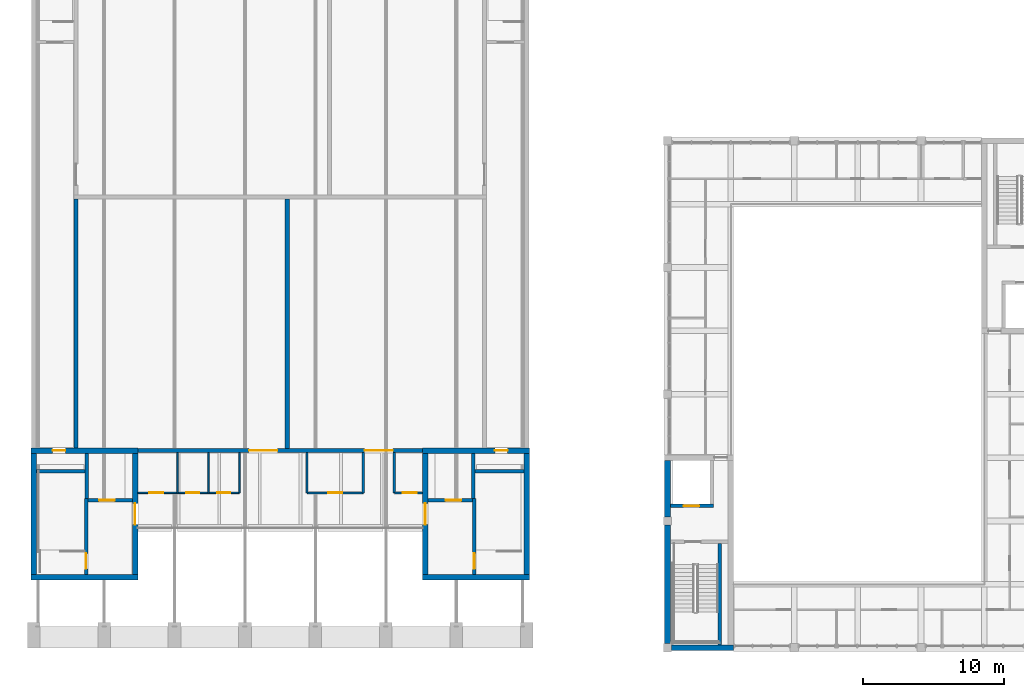
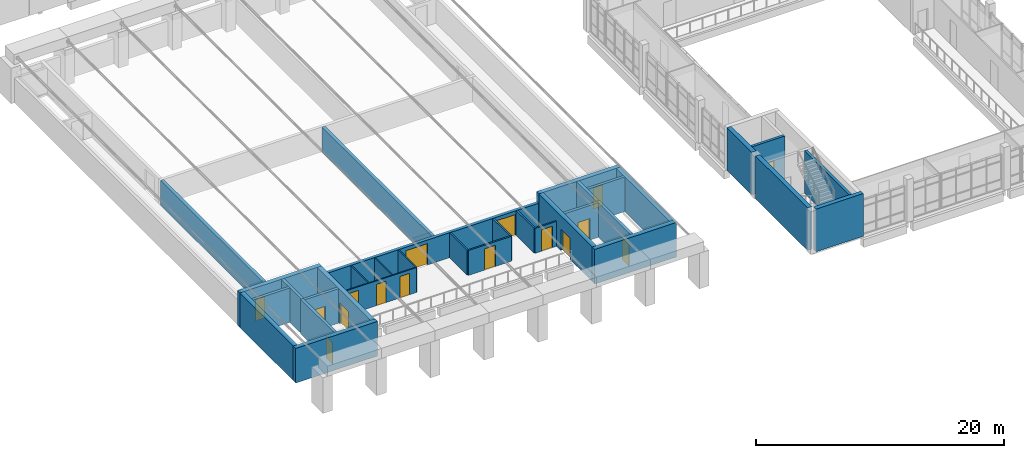
# One storey, part 47 of 92: 33 walls, 16 doors, 16 openings.
"""IFC4 building model written with IfcOpenShell, lengths in metres."""

from ifc_helpers import new_model, si_unit, direction, frame, frame_2d, origin, place, context, subcontext, project, spatial, rectangle, extrude, material, layer, layer_set, type_object, element, fill, save


model = new_model("IFC4")

# Units and contexts
model_context = context("Model", 3, precision=1e-05, world=origin(), true_north=direction((0.0, 1.0)))
body_context = subcontext(model_context, "Body", "Model", "MODEL_VIEW")
ifc_project = project(units=[si_unit("LENGTHUNIT", "METRE"), si_unit("AREAUNIT", "SQUARE_METRE"), si_unit("VOLUMEUNIT", "CUBIC_METRE"), si_unit("PLANEANGLEUNIT", "RADIAN"), si_unit("MASSUNIT", "GRAM", prefix="KILO")], contexts=[model_context])

# Site, building, storey
site_placement = place(None, origin())
site = spatial("IfcSite", under=ifc_project, at=site_placement, CompositionType="ELEMENT")
building_placement = place(site_placement, origin())
building = spatial("IfcBuilding", under=site, at=building_placement, Name="Merrow Basin Faculty of Sciences", CompositionType="ELEMENT")
storey_placement = place(building_placement, frame((0.0, 0.0, 4.5)))
storey = spatial("IfcBuildingStorey", under=building, at=storey_placement, Name="L01", CompositionType="ELEMENT", Elevation=4.5)

# Wall, openings, doors
ifc_material_1 = material(Name="Concrete C40/50", Category="concrete")
ifc_layer_1 = layer(ifc_material_1, 0.300048828125)
ifc_layer_set_1 = layer_set([ifc_layer_1], Name="Hall wall 300 Concrete C40/50")
wall_type_1 = type_object("IfcWallType", Name="Hall wall 300 Concrete C40/50", PredefinedType="SHEAR", material=ifc_layer_set_1)
wall_1_placement = place(storey_placement, frame((7.39990234375, 14.0, 0.0), z_axis=(0.0, 0.0, 1.0), x_axis=(1.0, 0.0, 0.0)))
wall_1 = element("IfcWall", 1, at=wall_1_placement, inside=storey, type_object=wall_type_1, Name="SW7 L01 017", PredefinedType="SHEAR", context=body_context, shape_type="SweptSolid", body=[
    extrude(rectangle(XDim=20.2001953125, YDim=0.300048828125, at=frame_2d((10.10009765625, 0.0))), origin(), (0.0, 0.0, 1.0), 2.449951171875),
])
opening_1_placement = place(wall_1_placement, frame((7.89990234375, 0.0, 0.0)))
opening_1 = element("IfcOpeningElement", 2, at=opening_1_placement, cuts=wall_1, Name="Opening D01H014", PredefinedType="OPENING", context=body_context, shape_type="SweptSolid", body=[
    extrude(rectangle(XDim=2.0, YDim=2.10009765625, at=frame_2d((1.0, 1.050048828125))), frame((0.0, 0.159912109375, 0.0), z_axis=(0.0, -1.0, 0.0), x_axis=(1.0, 0.0, 0.0)), (0.0, 0.0, 1.0), 0.320068359375),
])
opening_2_placement = place(wall_1_placement, frame((16.10009765625, 0.0, 0.0)))
opening_2 = element("IfcOpeningElement", 3, at=opening_2_placement, cuts=wall_1, Name="Opening D01H015", PredefinedType="OPENING", context=body_context, shape_type="SweptSolid", body=[
    extrude(rectangle(XDim=2.0, YDim=2.10009765625, at=frame_2d((1.0, 1.050048828125))), frame((0.0, 0.159912109375, 0.0), z_axis=(0.0, -1.0, 0.0), x_axis=(1.0, 0.0, 0.0)), (0.0, 0.0, 1.0), 0.320068359375),
])
ifc_material_2 = material(Name="Fire-rated steel door", Category="steel")
door_type_1 = type_object("IfcDoorType", Name="Fire door FD60 2000 x 2100", OperationType="NOTDEFINED", PredefinedType="DOOR", material=ifc_material_2)
door_1_placement = place(opening_1_placement, origin())
door_1 = element("IfcDoor", 4, at=door_1_placement, inside=storey, type_object=door_type_1, Name="Lecture Theatre 2 upper exit", OperationType="DOUBLE_DOOR_SINGLE_SWING", OverallHeight=2.10009765625, OverallWidth=2.0, PredefinedType="DOOR", context=body_context, shape_type="SweptSolid", body=[
    extrude(rectangle(XDim=2.0, YDim=2.10009765625, at=frame_2d((1.0, 1.050048828125))), frame((0.0, 0.02490234375, 0.0), z_axis=(0.0, -1.0, 0.0), x_axis=(1.0, 0.0, 0.0)), (0.0, 0.0, 1.0), 0.050048828125),
])
fill(opening_1, door_1)
door_2_placement = place(opening_2_placement, origin())
door_2 = element("IfcDoor", 5, at=door_2_placement, inside=storey, type_object=door_type_1, Name="Lecture Theatre 3 upper exit", OperationType="DOUBLE_DOOR_SINGLE_SWING", OverallHeight=2.10009765625, OverallWidth=2.0, PredefinedType="DOOR", context=body_context, shape_type="SweptSolid", body=[
    extrude(rectangle(XDim=2.0, YDim=2.10009765625, at=frame_2d((1.0, 1.050048828125))), frame((0.0, 0.02490234375, 0.0), z_axis=(0.0, -1.0, 0.0), x_axis=(1.0, 0.0, 0.0)), (0.0, 0.0, 1.0), 0.050048828125),
])
fill(opening_2, door_2)

# Walls
wall_2_placement = place(storey_placement, frame((3.0, 14.199951171875, 0.0), z_axis=(0.0, 0.0, 1.0), x_axis=(0.0, 1.0, 0.0)))
element("IfcWall", 6, at=wall_2_placement, inside=storey, type_object=wall_type_1, Name="SW7 L01 020", PredefinedType="SHEAR", context=body_context, shape_type="SweptSolid", body=[
    extrude(rectangle(XDim=17.650146484375, YDim=0.300048828125, at=frame_2d((8.8251953125, 0.0))), origin(), (0.0, 0.0, 1.0), 2.449951171875),
])
wall_3_placement = place(storey_placement, frame((18.0, 14.14990234375, 0.0), z_axis=(0.0, 0.0, 1.0), x_axis=(0.0, 1.0, 0.0)))
element("IfcWall", 7, at=wall_3_placement, inside=storey, type_object=wall_type_1, Name="SW7 L01 023", PredefinedType="SHEAR", context=body_context, shape_type="SweptSolid", body=[
    extrude(rectangle(XDim=17.7001953125, YDim=0.300048828125, at=frame_2d((8.85009765625, 0.0))), origin(), (0.0, 0.0, 1.0), 2.449951171875),
])
ifc_material_3 = material(Name="Moisture-resistant gypsum board")
ifc_layer_2 = layer(ifc_material_3, 0.10009765625)
ifc_layer_set_2 = layer_set([ifc_layer_2], Name="Partition 100 moisture-resistant board on steel studs")
wall_type_2 = type_object("IfcWallType", Name="Partition 100 moisture-resistant board on steel studs", PredefinedType="PARTITIONING", material=ifc_layer_set_2)
for number, where, z_axis, x_axis, name in (
    (8, (10.199951171875, 11.0, 0.0), (0.0, 0.0, 1.0), (0.0, 1.0, 0.0), "IW101 L01 008"),
    (9, (12.39990234375, 11.0, 0.0), (0.0, 0.0, 1.0), (0.0, 1.0, 0.0), "IW101 L01 009"),
    (10, (14.60009765625, 11.0, 0.0), (0.0, 0.0, 1.0), (0.0, 1.0, 0.0), "IW101 L01 010"),
):
    element("IfcWall", number, at=place(storey_placement, frame(where, z_axis=z_axis, x_axis=x_axis)), inside=storey, type_object=wall_type_2, Name=name, PredefinedType="PARTITIONING", context=body_context, shape_type="SweptSolid", body=[
        extrude(rectangle(XDim=2.85009765625, YDim=0.10009765625, at=frame_2d((1.425048828125, 0.0))), origin(), (0.0, 0.0, 1.0), 2.449951171875),
    ])

# Wall, openings, doors
wall_4_placement = place(storey_placement, frame((7.39990234375, 11.0, 0.0), z_axis=(0.0, 0.0, 1.0), x_axis=(1.0, 0.0, 0.0)))
wall_4 = element("IfcWall", 11, at=wall_4_placement, inside=storey, type_object=wall_type_2, Name="IW101 L01 011", PredefinedType="PARTITIONING", context=body_context, shape_type="SweptSolid", body=[
    extrude(rectangle(XDim=7.2001953125, YDim=0.10009765625, at=frame_2d((3.60009765625, 0.0))), origin(), (0.0, 0.0, 1.0), 2.449951171875),
])
opening_3_placement = place(wall_4_placement, frame((0.800048828125, 0.0, 0.0)))
opening_3 = element("IfcOpeningElement", 12, at=opening_3_placement, cuts=wall_4, Name="Opening D01H009", PredefinedType="OPENING", context=body_context, shape_type="SweptSolid", body=[
    extrude(rectangle(XDim=1.0, YDim=2.10009765625, at=frame_2d((0.5, 1.050048828125))), frame((0.0, 0.06005859375, 0.0), z_axis=(0.0, -1.0, 0.0), x_axis=(1.0, 0.0, 0.0)), (0.0, 0.0, 1.0), 0.1201171875),
])
opening_4_placement = place(wall_4_placement, frame((3.449951171875, 0.0, 0.0)))
opening_4 = element("IfcOpeningElement", 13, at=opening_4_placement, cuts=wall_4, Name="Opening D01H010", PredefinedType="OPENING", context=body_context, shape_type="SweptSolid", body=[
    extrude(rectangle(XDim=0.89990234375, YDim=2.10009765625, at=frame_2d((0.449951171875, 1.050048828125))), frame((0.0, 0.06005859375, 0.0), z_axis=(0.0, -1.0, 0.0), x_axis=(1.0, 0.0, 0.0)), (0.0, 0.0, 1.0), 0.1201171875),
])
opening_5_placement = place(wall_4_placement, frame((5.64990234375, 0.0, 0.0)))
opening_5 = element("IfcOpeningElement", 14, at=opening_5_placement, cuts=wall_4, Name="Opening D01H011", PredefinedType="OPENING", context=body_context, shape_type="SweptSolid", body=[
    extrude(rectangle(XDim=0.89990234375, YDim=2.10009765625, at=frame_2d((0.449951171875, 1.050048828125))), frame((0.0, 0.06005859375, 0.0), z_axis=(0.0, -1.0, 0.0), x_axis=(1.0, 0.0, 0.0)), (0.0, 0.0, 1.0), 0.1201171875),
])
ifc_material_4 = material(Name="Timber door leaf", Category="wood")
door_type_2 = type_object("IfcDoorType", Name="Accessible door 1000 x 2100", OperationType="NOTDEFINED", PredefinedType="DOOR", material=ifc_material_4)
door_3_placement = place(opening_3_placement, origin())
door_3 = element("IfcDoor", 15, at=door_3_placement, inside=storey, type_object=door_type_2, Name="Door D01H009", OperationType="SINGLE_SWING_LEFT", OverallHeight=2.10009765625, OverallWidth=1.0, PredefinedType="DOOR", context=body_context, shape_type="SweptSolid", body=[
    extrude(rectangle(XDim=1.0, YDim=2.10009765625, at=frame_2d((0.5, 1.050048828125))), frame((0.0, 0.02490234375, 0.0), z_axis=(0.0, -1.0, 0.0), x_axis=(1.0, 0.0, 0.0)), (0.0, 0.0, 1.0), 0.050048828125),
])
fill(opening_3, door_3)
ifc_material_5 = material(Name="Timber door leaf", Category="wood")
door_type_3 = type_object("IfcDoorType", Name="Single swing door 900 x 2100", OperationType="NOTDEFINED", PredefinedType="DOOR", material=ifc_material_5)
door_4_placement = place(opening_4_placement, origin())
door_4 = element("IfcDoor", 16, at=door_4_placement, inside=storey, type_object=door_type_3, Name="Door D01H010", OperationType="SINGLE_SWING_RIGHT", OverallHeight=2.10009765625, OverallWidth=0.89990234375, PredefinedType="DOOR", context=body_context, shape_type="SweptSolid", body=[
    extrude(rectangle(XDim=0.89990234375, YDim=2.10009765625, at=frame_2d((0.449951171875, 1.050048828125))), frame((0.0, 0.02490234375, 0.0), z_axis=(0.0, -1.0, 0.0), x_axis=(1.0, 0.0, 0.0)), (0.0, 0.0, 1.0), 0.050048828125),
])
fill(opening_4, door_4)
door_5_placement = place(opening_5_placement, origin())
door_5 = element("IfcDoor", 17, at=door_5_placement, inside=storey, type_object=door_type_3, Name="Door D01H011", OperationType="SINGLE_SWING_RIGHT", OverallHeight=2.10009765625, OverallWidth=0.89990234375, PredefinedType="DOOR", context=body_context, shape_type="SweptSolid", body=[
    extrude(rectangle(XDim=0.89990234375, YDim=2.10009765625, at=frame_2d((0.449951171875, 1.050048828125))), frame((0.0, 0.02490234375, 0.0), z_axis=(0.0, -1.0, 0.0), x_axis=(1.0, 0.0, 0.0)), (0.0, 0.0, 1.0), 0.050048828125),
])
fill(opening_5, door_5)

# Wall
ifc_material_6 = material(Name="Concrete C40/50", Category="concrete")
ifc_layer_3 = layer(ifc_material_6, 0.25)
ifc_layer_set_3 = layer_set([ifc_layer_3], Name="Shear wall 250 Concrete C40/50")
wall_type_3 = type_object("IfcWallType", Name="Shear wall 250 Concrete C40/50", PredefinedType="SHEAR", material=ifc_layer_set_3)
wall_5_placement = place(storey_placement, frame((0.199951171875, 12.52490234375, 0.0), z_axis=(0.0, 0.0, 1.0), x_axis=(1.0, 0.0, 0.0)))
element("IfcWall", 18, at=wall_5_placement, inside=storey, type_object=wall_type_3, Name="SW2 L01 005", PredefinedType="SHEAR", context=body_context, shape_type="SweptSolid", body=[
    extrude(rectangle(XDim=3.650146484375, YDim=0.25, at=frame_2d((1.8251953125, 0.0))), origin(), (0.0, 0.0, 1.0), 3.39990234375),
])

# Wall, opening, door
wall_6_placement = place(storey_placement, frame((3.72509765625, 5.199951171875, 0.0), z_axis=(0.0, 0.0, 1.0), x_axis=(0.0, 1.0, 0.0)))
wall_6 = element("IfcWall", 19, at=wall_6_placement, inside=storey, type_object=wall_type_3, Name="SW2 L01 006", PredefinedType="SHEAR", context=body_context, shape_type="SweptSolid", body=[
    extrude(rectangle(XDim=5.400146484375, YDim=0.25, at=frame_2d((2.7001953125, 0.0))), origin(), (0.0, 0.0, 1.0), 3.39990234375),
])
opening_6_placement = place(wall_6_placement, frame((0.39990234375, 0.0, 0.0)))
opening_6 = element("IfcOpeningElement", 20, at=opening_6_placement, cuts=wall_6, Name="Opening D01H001", PredefinedType="OPENING", context=body_context, shape_type="SweptSolid", body=[
    extrude(rectangle(XDim=1.10009765625, YDim=2.10009765625, at=frame_2d((0.550048828125, 1.050048828125))), frame((0.0, 0.135009765625, 0.0), z_axis=(0.0, -1.0, 0.0), x_axis=(1.0, 0.0, 0.0)), (0.0, 0.0, 1.0), 0.27001953125),
])
ifc_material_7 = material(Name="Fire-rated steel door", Category="steel")
door_type_4 = type_object("IfcDoorType", Name="Fire door FD90 1100 x 2100", OperationType="NOTDEFINED", PredefinedType="DOOR", material=ifc_material_7)
door_6_placement = place(opening_6_placement, origin())
door_6 = element("IfcDoor", 21, at=door_6_placement, inside=storey, type_object=door_type_4, Name="Door D01H001", OperationType="SINGLE_SWING_LEFT", OverallHeight=2.10009765625, OverallWidth=1.10009765625, PredefinedType="DOOR", context=body_context, shape_type="SweptSolid", body=[
    extrude(rectangle(XDim=1.10009765625, YDim=2.10009765625, at=frame_2d((0.550048828125, 1.050048828125))), frame((0.0, 0.02490234375, 0.0), z_axis=(0.0, -1.0, 0.0), x_axis=(1.0, 0.0, 0.0)), (0.0, 0.0, 1.0), 0.050048828125),
])
fill(opening_6, door_6)

wall_7_placement = place(storey_placement, frame((3.85009765625, 10.47509765625, 0.0), z_axis=(0.0, 0.0, 1.0), x_axis=(1.0, 0.0, 0.0)))
wall_7 = element("IfcWall", 22, at=wall_7_placement, inside=storey, type_object=wall_type_3, Name="SW2 L01 007", PredefinedType="SHEAR", context=body_context, shape_type="SweptSolid", body=[
    extrude(rectangle(XDim=3.14990234375, YDim=0.25, at=frame_2d((1.574951171875, 0.0))), origin(), (0.0, 0.0, 1.0), 3.39990234375),
])
opening_7_placement = place(wall_7_placement, frame((0.800048828125, 0.0, 0.0)))
opening_7 = element("IfcOpeningElement", 23, at=opening_7_placement, cuts=wall_7, Name="Opening LD01H01", PredefinedType="OPENING", context=body_context, shape_type="SweptSolid", body=[
    extrude(rectangle(XDim=1.10009765625, YDim=2.10009765625, at=frame_2d((0.550048828125, 1.050048828125))), frame((0.0, 0.135009765625, 0.0), z_axis=(0.0, -1.0, 0.0), x_axis=(1.0, 0.0, 0.0)), (0.0, 0.0, 1.0), 0.27001953125),
])
ifc_material_8 = material(Name="Stainless steel sliding door", Category="steel")
door_type_5 = type_object("IfcDoorType", Name="Lift landing door 1100 x 2100 sliding", OperationType="NOTDEFINED", PredefinedType="DOOR", material=ifc_material_8)
door_7_placement = place(opening_7_placement, origin())
door_7 = element("IfcDoor", 24, at=door_7_placement, inside=storey, type_object=door_type_5, Name="Landing door LF3 L01", OperationType="SLIDING_TO_LEFT", OverallHeight=2.10009765625, OverallWidth=1.10009765625, PredefinedType="DOOR", context=body_context, shape_type="SweptSolid", body=[
    extrude(rectangle(XDim=1.10009765625, YDim=2.10009765625, at=frame_2d((0.550048828125, 1.050048828125))), frame((0.0, 0.02490234375, 0.0), z_axis=(0.0, -1.0, 0.0), x_axis=(1.0, 0.0, 0.0)), (0.0, 0.0, 1.0), 0.050048828125),
])
fill(opening_7, door_7)

# Walls
wall_8_placement = place(storey_placement, frame((3.77490234375, 10.60009765625, 0.0), z_axis=(0.0, 0.0, 1.0), x_axis=(0.0, 1.0, 0.0)))
element("IfcWall", 25, at=wall_8_placement, inside=storey, type_object=wall_type_3, Name="SW2 L01 008", PredefinedType="SHEAR", context=body_context, shape_type="SweptSolid", body=[
    extrude(rectangle(XDim=3.199951171875, YDim=0.25, at=frame_2d((1.60009765625, 0.0))), origin(), (0.0, 0.0, 1.0), 3.39990234375),
])
wall_9_placement = place(storey_placement, frame((31.14990234375, 12.52490234375, 0.0), z_axis=(0.0, 0.0, 1.0), x_axis=(1.0, 0.0, 0.0)))
element("IfcWall", 26, at=wall_9_placement, inside=storey, type_object=wall_type_3, Name="SW2 L01 013", PredefinedType="SHEAR", context=body_context, shape_type="SweptSolid", body=[
    extrude(rectangle(XDim=3.650146484375, YDim=0.25, at=frame_2d((1.8251953125, 0.0))), origin(), (0.0, 0.0, 1.0), 3.39990234375),
])

# Wall, opening, door
wall_10_placement = place(storey_placement, frame((31.27490234375, 5.199951171875, 0.0), z_axis=(0.0, 0.0, 1.0), x_axis=(0.0, 1.0, 0.0)))
wall_10 = element("IfcWall", 27, at=wall_10_placement, inside=storey, type_object=wall_type_3, Name="SW2 L01 014", PredefinedType="SHEAR", context=body_context, shape_type="SweptSolid", body=[
    extrude(rectangle(XDim=5.400146484375, YDim=0.25, at=frame_2d((2.7001953125, 0.0))), origin(), (0.0, 0.0, 1.0), 3.39990234375),
])
opening_8_placement = place(wall_10_placement, frame((0.39990234375, 0.0, 0.0)))
opening_8 = element("IfcOpeningElement", 28, at=opening_8_placement, cuts=wall_10, Name="Opening D01H004", PredefinedType="OPENING", context=body_context, shape_type="SweptSolid", body=[
    extrude(rectangle(XDim=1.10009765625, YDim=2.10009765625, at=frame_2d((0.550048828125, 1.050048828125))), frame((0.0, 0.135009765625, 0.0), z_axis=(0.0, -1.0, 0.0), x_axis=(1.0, 0.0, 0.0)), (0.0, 0.0, 1.0), 0.27001953125),
])
door_8_placement = place(opening_8_placement, origin())
door_8 = element("IfcDoor", 29, at=door_8_placement, inside=storey, type_object=door_type_4, Name="Door D01H004", OperationType="SINGLE_SWING_LEFT", OverallHeight=2.10009765625, OverallWidth=1.10009765625, PredefinedType="DOOR", context=body_context, shape_type="SweptSolid", body=[
    extrude(rectangle(XDim=1.10009765625, YDim=2.10009765625, at=frame_2d((0.550048828125, 1.050048828125))), frame((0.0, 0.02490234375, 0.0), z_axis=(0.0, -1.0, 0.0), x_axis=(1.0, 0.0, 0.0)), (0.0, 0.0, 1.0), 0.050048828125),
])
fill(opening_8, door_8)

wall_11_placement = place(storey_placement, frame((28.0, 10.47509765625, 0.0), z_axis=(0.0, 0.0, 1.0), x_axis=(1.0, 0.0, 0.0)))
wall_11 = element("IfcWall", 30, at=wall_11_placement, inside=storey, type_object=wall_type_3, Name="SW2 L01 015", PredefinedType="SHEAR", context=body_context, shape_type="SweptSolid", body=[
    extrude(rectangle(XDim=3.14990234375, YDim=0.25, at=frame_2d((1.574951171875, 0.0))), origin(), (0.0, 0.0, 1.0), 3.39990234375),
])
opening_9_placement = place(wall_11_placement, frame((1.25, 0.0, 0.0)))
opening_9 = element("IfcOpeningElement", 31, at=opening_9_placement, cuts=wall_11, Name="Opening LD01H02", PredefinedType="OPENING", context=body_context, shape_type="SweptSolid", body=[
    extrude(rectangle(XDim=1.10009765625, YDim=2.10009765625, at=frame_2d((0.550048828125, 1.050048828125))), frame((0.0, 0.135009765625, 0.0), z_axis=(0.0, -1.0, 0.0), x_axis=(1.0, 0.0, 0.0)), (0.0, 0.0, 1.0), 0.27001953125),
])
door_9_placement = place(opening_9_placement, origin())
door_9 = element("IfcDoor", 32, at=door_9_placement, inside=storey, type_object=door_type_5, Name="Landing door LF4 L01", OperationType="SLIDING_TO_LEFT", OverallHeight=2.10009765625, OverallWidth=1.10009765625, PredefinedType="DOOR", context=body_context, shape_type="SweptSolid", body=[
    extrude(rectangle(XDim=1.10009765625, YDim=2.10009765625, at=frame_2d((0.550048828125, 1.050048828125))), frame((0.0, 0.02490234375, 0.0), z_axis=(0.0, -1.0, 0.0), x_axis=(1.0, 0.0, 0.0)), (0.0, 0.0, 1.0), 0.050048828125),
])
fill(opening_9, door_9)

# Walls
wall_12_placement = place(storey_placement, frame((31.22509765625, 10.60009765625, 0.0), z_axis=(0.0, 0.0, 1.0), x_axis=(0.0, 1.0, 0.0)))
element("IfcWall", 33, at=wall_12_placement, inside=storey, type_object=wall_type_3, Name="SW2 L01 016", PredefinedType="SHEAR", context=body_context, shape_type="SweptSolid", body=[
    extrude(rectangle(XDim=3.199951171875, YDim=0.25, at=frame_2d((1.60009765625, 0.0))), origin(), (0.0, 0.0, 1.0), 3.39990234375),
])
wall_13_placement = place(storey_placement, frame((48.72509765625, 0.199951171875, 0.0), z_axis=(0.0, 0.0, 1.0), x_axis=(0.0, 1.0, 0.0)))
element("IfcWall", 34, at=wall_13_placement, inside=storey, type_object=wall_type_3, Name="SW2 L01 007", PredefinedType="SHEAR", context=body_context, shape_type="SweptSolid", body=[
    extrude(rectangle(XDim=7.199951171875, YDim=0.25, at=frame_2d((3.60009765625, 0.0))), origin(), (0.0, 0.0, 1.0), 4.199951171875),
])

# Wall, opening, door
wall_14_placement = place(storey_placement, frame((45.199951171875, 10.074951171875, 0.0), z_axis=(0.0, 0.0, 1.0), x_axis=(1.0, 0.0, 0.0)))
wall_14 = element("IfcWall", 35, at=wall_14_placement, inside=storey, type_object=wall_type_3, Name="SW2 L01 008", PredefinedType="SHEAR", context=body_context, shape_type="SweptSolid", body=[
    extrude(rectangle(XDim=3.050048828125, YDim=0.25, at=frame_2d((1.52490234375, 0.0))), origin(), (0.0, 0.0, 1.0), 4.199951171875),
])
opening_10_placement = place(wall_14_placement, frame((0.949951171875, 0.0, 0.0)))
opening_10 = element("IfcOpeningElement", 36, at=opening_10_placement, cuts=wall_14, Name="Opening LD01A01", PredefinedType="OPENING", context=body_context, shape_type="SweptSolid", body=[
    extrude(rectangle(XDim=1.10009765625, YDim=2.10009765625, at=frame_2d((0.550048828125, 1.050048828125))), frame((0.0, 0.135009765625, 0.0), z_axis=(0.0, -1.0, 0.0), x_axis=(1.0, 0.0, 0.0)), (0.0, 0.0, 1.0), 0.27001953125),
])
door_10_placement = place(opening_10_placement, origin())
door_10 = element("IfcDoor", 37, at=door_10_placement, inside=storey, type_object=door_type_5, Name="Landing door LF9 L01", OperationType="SLIDING_TO_LEFT", OverallHeight=2.10009765625, OverallWidth=1.10009765625, PredefinedType="DOOR", context=body_context, shape_type="SweptSolid", body=[
    extrude(rectangle(XDim=1.10009765625, YDim=2.10009765625, at=frame_2d((0.550048828125, 1.050048828125))), frame((0.0, 0.02490234375, 0.0), z_axis=(0.0, -1.0, 0.0), x_axis=(1.0, 0.0, 0.0)), (0.0, 0.0, 1.0), 0.050048828125),
])
fill(opening_10, door_10)

# Wall
ifc_material_9 = material(Name="Concrete C40/50", Category="concrete")
ifc_layer_4 = layer(ifc_material_9, 0.39990234375)
ifc_layer_set_4 = layer_set([ifc_layer_4], Name="Shear wall 400 Concrete C40/50")
wall_type_4 = type_object("IfcWallType", Name="Shear wall 400 Concrete C40/50", PredefinedType="SHEAR", material=ifc_layer_set_4)
wall_15_placement = place(storey_placement, frame((-0.199951171875, 5.0, 0.0), z_axis=(0.0, 0.0, 1.0), x_axis=(1.0, 0.0, 0.0)))
element("IfcWall", 38, at=wall_15_placement, inside=storey, type_object=wall_type_4, Name="SW1 L01 001", PredefinedType="SHEAR", context=body_context, shape_type="SweptSolid", body=[
    extrude(rectangle(XDim=7.599853515625, YDim=0.39990234375, at=frame_2d((3.7998046875, 0.0))), origin(), (0.0, 0.0, 1.0), 3.39990234375),
])

# Wall, opening, door
wall_16_placement = place(storey_placement, frame((-0.199951171875, 14.0, 0.0), z_axis=(0.0, 0.0, 1.0), x_axis=(1.0, 0.0, 0.0)))
wall_16 = element("IfcWall", 39, at=wall_16_placement, inside=storey, type_object=wall_type_4, Name="SW1 L01 002", PredefinedType="SHEAR", context=body_context, shape_type="SweptSolid", body=[
    extrude(rectangle(XDim=7.599853515625, YDim=0.39990234375, at=frame_2d((3.7998046875, 0.0))), origin(), (0.0, 0.0, 1.0), 3.39990234375),
])
opening_11_placement = place(wall_16_placement, frame((1.550048828125, 0.0, 0.0)))
opening_11 = element("IfcOpeningElement", 40, at=opening_11_placement, cuts=wall_16, Name="Opening D01H003", PredefinedType="OPENING", context=body_context, shape_type="SweptSolid", body=[
    extrude(rectangle(XDim=0.89990234375, YDim=2.10009765625, at=frame_2d((0.449951171875, 1.050048828125))), frame((0.0, 0.2099609375, 0.0), z_axis=(0.0, -1.0, 0.0), x_axis=(1.0, 0.0, 0.0)), (0.0, 0.0, 1.0), 0.419921875),
])
ifc_material_10 = material(Name="Fire-rated steel door", Category="steel")
door_type_6 = type_object("IfcDoorType", Name="Fire door FD60 900 x 2100", OperationType="NOTDEFINED", PredefinedType="DOOR", material=ifc_material_10)
door_11_placement = place(opening_11_placement, origin())
door_11 = element("IfcDoor", 41, at=door_11_placement, inside=storey, type_object=door_type_6, Name="Door D01H003", OperationType="SINGLE_SWING_LEFT", OverallHeight=2.10009765625, OverallWidth=0.89990234375, PredefinedType="DOOR", context=body_context, shape_type="SweptSolid", body=[
    extrude(rectangle(XDim=0.89990234375, YDim=2.10009765625, at=frame_2d((0.449951171875, 1.050048828125))), frame((0.0, 0.02490234375, 0.0), z_axis=(0.0, -1.0, 0.0), x_axis=(1.0, 0.0, 0.0)), (0.0, 0.0, 1.0), 0.050048828125),
])
fill(opening_11, door_11)

# Wall
wall_17_placement = place(storey_placement, frame((0.0, 5.199951171875, 0.0), z_axis=(0.0, 0.0, 1.0), x_axis=(0.0, 1.0, 0.0)))
element("IfcWall", 42, at=wall_17_placement, inside=storey, type_object=wall_type_4, Name="SW1 L01 003", PredefinedType="SHEAR", context=body_context, shape_type="SweptSolid", body=[
    extrude(rectangle(XDim=8.60009765625, YDim=0.39990234375, at=frame_2d((4.300048828125, 0.0))), origin(), (0.0, 0.0, 1.0), 3.39990234375),
])

# Wall, opening, door
wall_18_placement = place(storey_placement, frame((7.199951171875, 5.199951171875, 0.0), z_axis=(0.0, 0.0, 1.0), x_axis=(0.0, 1.0, 0.0)))
wall_18 = element("IfcWall", 43, at=wall_18_placement, inside=storey, type_object=wall_type_4, Name="SW1 L01 004", PredefinedType="SHEAR", context=body_context, shape_type="SweptSolid", body=[
    extrude(rectangle(XDim=8.60009765625, YDim=0.39990234375, at=frame_2d((4.300048828125, 0.0))), origin(), (0.0, 0.0, 1.0), 3.39990234375),
])
opening_12_placement = place(wall_18_placement, frame((3.550048828125, 0.0, 0.0)))
opening_12 = element("IfcOpeningElement", 44, at=opening_12_placement, cuts=wall_18, Name="Opening D01H002", PredefinedType="OPENING", context=body_context, shape_type="SweptSolid", body=[
    extrude(rectangle(XDim=1.5, YDim=2.10009765625, at=frame_2d((0.75, 1.050048828125))), frame((0.0, 0.2099609375, 0.0), z_axis=(0.0, -1.0, 0.0), x_axis=(1.0, 0.0, 0.0)), (0.0, 0.0, 1.0), 0.419921875),
])
ifc_material_11 = material(Name="Fire-rated steel door", Category="steel")
door_type_7 = type_object("IfcDoorType", Name="Fire door FD60 1500 x 2100", OperationType="NOTDEFINED", PredefinedType="DOOR", material=ifc_material_11)
door_12_placement = place(opening_12_placement, origin())
door_12 = element("IfcDoor", 45, at=door_12_placement, inside=storey, type_object=door_type_7, Name="Door D01H002", OperationType="DOUBLE_DOOR_SINGLE_SWING", OverallHeight=2.10009765625, OverallWidth=1.5, PredefinedType="DOOR", context=body_context, shape_type="SweptSolid", body=[
    extrude(rectangle(XDim=1.5, YDim=2.10009765625, at=frame_2d((0.75, 1.050048828125))), frame((0.0, 0.02490234375, 0.0), z_axis=(0.0, -1.0, 0.0), x_axis=(1.0, 0.0, 0.0)), (0.0, 0.0, 1.0), 0.050048828125),
])
fill(opening_12, door_12)

# Wall
wall_19_placement = place(storey_placement, frame((27.60009765625, 5.0, 0.0), z_axis=(0.0, 0.0, 1.0), x_axis=(1.0, 0.0, 0.0)))
element("IfcWall", 46, at=wall_19_placement, inside=storey, type_object=wall_type_4, Name="SW1 L01 009", PredefinedType="SHEAR", context=body_context, shape_type="SweptSolid", body=[
    extrude(rectangle(XDim=7.599853515625, YDim=0.39990234375, at=frame_2d((3.7998046875, 0.0))), origin(), (0.0, 0.0, 1.0), 3.39990234375),
])

# Wall, opening, door
wall_20_placement = place(storey_placement, frame((27.60009765625, 14.0, 0.0), z_axis=(0.0, 0.0, 1.0), x_axis=(1.0, 0.0, 0.0)))
wall_20 = element("IfcWall", 47, at=wall_20_placement, inside=storey, type_object=wall_type_4, Name="SW1 L01 010", PredefinedType="SHEAR", context=body_context, shape_type="SweptSolid", body=[
    extrude(rectangle(XDim=7.599853515625, YDim=0.39990234375, at=frame_2d((3.7998046875, 0.0))), origin(), (0.0, 0.0, 1.0), 3.39990234375),
])
opening_13_placement = place(wall_20_placement, frame((5.14990234375, 0.0, 0.0)))
opening_13 = element("IfcOpeningElement", 48, at=opening_13_placement, cuts=wall_20, Name="Opening D01H006", PredefinedType="OPENING", context=body_context, shape_type="SweptSolid", body=[
    extrude(rectangle(XDim=0.89990234375, YDim=2.10009765625, at=frame_2d((0.449951171875, 1.050048828125))), frame((0.0, 0.2099609375, 0.0), z_axis=(0.0, -1.0, 0.0), x_axis=(1.0, 0.0, 0.0)), (0.0, 0.0, 1.0), 0.419921875),
])
door_13_placement = place(opening_13_placement, origin())
door_13 = element("IfcDoor", 49, at=door_13_placement, inside=storey, type_object=door_type_6, Name="Door D01H006", OperationType="SINGLE_SWING_RIGHT", OverallHeight=2.10009765625, OverallWidth=0.89990234375, PredefinedType="DOOR", context=body_context, shape_type="SweptSolid", body=[
    extrude(rectangle(XDim=0.89990234375, YDim=2.10009765625, at=frame_2d((0.449951171875, 1.050048828125))), frame((0.0, 0.02490234375, 0.0), z_axis=(0.0, -1.0, 0.0), x_axis=(1.0, 0.0, 0.0)), (0.0, 0.0, 1.0), 0.050048828125),
])
fill(opening_13, door_13)

wall_21_placement = place(storey_placement, frame((27.800048828125, 5.199951171875, 0.0), z_axis=(0.0, 0.0, 1.0), x_axis=(0.0, 1.0, 0.0)))
wall_21 = element("IfcWall", 50, at=wall_21_placement, inside=storey, type_object=wall_type_4, Name="SW1 L01 011", PredefinedType="SHEAR", context=body_context, shape_type="SweptSolid", body=[
    extrude(rectangle(XDim=8.60009765625, YDim=0.39990234375, at=frame_2d((4.300048828125, 0.0))), origin(), (0.0, 0.0, 1.0), 3.39990234375),
])
opening_14_placement = place(wall_21_placement, frame((3.550048828125, 0.0, 0.0)))
opening_14 = element("IfcOpeningElement", 51, at=opening_14_placement, cuts=wall_21, Name="Opening D01H005", PredefinedType="OPENING", context=body_context, shape_type="SweptSolid", body=[
    extrude(rectangle(XDim=1.5, YDim=2.10009765625, at=frame_2d((0.75, 1.050048828125))), frame((0.0, 0.2099609375, 0.0), z_axis=(0.0, -1.0, 0.0), x_axis=(1.0, 0.0, 0.0)), (0.0, 0.0, 1.0), 0.419921875),
])
door_14_placement = place(opening_14_placement, origin())
door_14 = element("IfcDoor", 52, at=door_14_placement, inside=storey, type_object=door_type_7, Name="Door D01H005", OperationType="DOUBLE_DOOR_SINGLE_SWING", OverallHeight=2.10009765625, OverallWidth=1.5, PredefinedType="DOOR", context=body_context, shape_type="SweptSolid", body=[
    extrude(rectangle(XDim=1.5, YDim=2.10009765625, at=frame_2d((0.75, 1.050048828125))), frame((0.0, 0.02490234375, 0.0), z_axis=(0.0, -1.0, 0.0), x_axis=(1.0, 0.0, 0.0)), (0.0, 0.0, 1.0), 0.050048828125),
])
fill(opening_14, door_14)

# Walls
wall_22_placement = place(storey_placement, frame((35.0, 5.199951171875, 0.0), z_axis=(0.0, 0.0, 1.0), x_axis=(0.0, 1.0, 0.0)))
element("IfcWall", 53, at=wall_22_placement, inside=storey, type_object=wall_type_4, Name="SW1 L01 012", PredefinedType="SHEAR", context=body_context, shape_type="SweptSolid", body=[
    extrude(rectangle(XDim=8.60009765625, YDim=0.39990234375, at=frame_2d((4.300048828125, 0.0))), origin(), (0.0, 0.0, 1.0), 3.39990234375),
])
wall_23_placement = place(storey_placement, frame((45.300048828125, 0.0, 0.0), z_axis=(0.0, 0.0, 1.0), x_axis=(1.0, 0.0, 0.0)))
element("IfcWall", 54, at=wall_23_placement, inside=storey, type_object=wall_type_4, Name="SW1 L01 001", PredefinedType="SHEAR", context=body_context, shape_type="SweptSolid", body=[
    extrude(rectangle(XDim=4.39990234375, YDim=0.39990234375, at=frame_2d((2.199951171875, 0.0))), origin(), (0.0, 0.0, 1.0), 4.199951171875),
])
wall_24_placement = place(storey_placement, frame((45.0, 0.300048828125, 0.0), z_axis=(0.0, 0.0, 1.0), x_axis=(0.0, 1.0, 0.0)))
element("IfcWall", 55, at=wall_24_placement, inside=storey, type_object=wall_type_4, Name="SW1 L01 003", PredefinedType="SHEAR", context=body_context, shape_type="SweptSolid", body=[
    extrude(rectangle(XDim=8.39990234375, YDim=0.39990234375, at=frame_2d((4.199951171875, 0.0))), origin(), (0.0, 0.0, 1.0), 4.199951171875),
])
wall_25_placement = place(storey_placement, frame((45.0, 9.300048828125, 0.0), z_axis=(0.0, 0.0, 1.0), x_axis=(0.0, 1.0, 0.0)))
element("IfcWall", 56, at=wall_25_placement, inside=storey, type_object=wall_type_4, Name="SW1 L01 004", PredefinedType="SHEAR", context=body_context, shape_type="SweptSolid", body=[
    extrude(rectangle(XDim=4.0, YDim=0.39990234375, at=frame_2d((2.0, 0.0))), origin(), (0.0, 0.0, 1.0), 4.199951171875),
])
ifc_material_12 = material(Name="Fire-rated gypsum board")
ifc_layer_5 = layer(ifc_material_12, 0.14990234375)
ifc_layer_set_5 = layer_set([ifc_layer_5], Name="Store partition 150 fire-rated board on steel studs")
wall_type_5 = type_object("IfcWallType", Name="Store partition 150 fire-rated board on steel studs", PredefinedType="PARTITIONING", material=ifc_layer_set_5)
for number, where, z_axis, x_axis, name in (
    (57, (19.39990234375, 11.0, 0.0), (0.0, 0.0, 1.0), (0.0, 1.0, 0.0), "IW152 L01 003"),
    (58, (23.39990234375, 11.0, 0.0), (0.0, 0.0, 1.0), (0.0, 1.0, 0.0), "IW152 L01 004"),
    (59, (25.60009765625, 11.0, 0.0), (0.0, 0.0, 1.0), (0.0, 1.0, 0.0), "IW152 L01 005"),
):
    element("IfcWall", number, at=place(storey_placement, frame(where, z_axis=z_axis, x_axis=x_axis)), inside=storey, type_object=wall_type_5, Name=name, PredefinedType="PARTITIONING", context=body_context, shape_type="SweptSolid", body=[
        extrude(rectangle(XDim=2.85009765625, YDim=0.14990234375, at=frame_2d((1.425048828125, 0.0))), origin(), (0.0, 0.0, 1.0), 2.449951171875),
    ])

# Wall, opening, door
wall_26_placement = place(storey_placement, frame((19.39990234375, 11.0, 0.0), z_axis=(0.0, 0.0, 1.0), x_axis=(1.0, 0.0, 0.0)))
wall_26 = element("IfcWall", 60, at=wall_26_placement, inside=storey, type_object=wall_type_5, Name="IW152 L01 006", PredefinedType="PARTITIONING", context=body_context, shape_type="SweptSolid", body=[
    extrude(rectangle(XDim=4.0, YDim=0.14990234375, at=frame_2d((2.0, 0.0))), origin(), (0.0, 0.0, 1.0), 2.449951171875),
])
opening_15_placement = place(wall_26_placement, frame((1.5, 0.0, 0.0)))
opening_15 = element("IfcOpeningElement", 61, at=opening_15_placement, cuts=wall_26, Name="Opening D01H012", PredefinedType="OPENING", context=body_context, shape_type="SweptSolid", body=[
    extrude(rectangle(XDim=1.0, YDim=2.10009765625, at=frame_2d((0.5, 1.050048828125))), frame((0.0, 0.0849609375, 0.0), z_axis=(0.0, -1.0, 0.0), x_axis=(1.0, 0.0, 0.0)), (0.0, 0.0, 1.0), 0.169921875),
])
ifc_material_13 = material(Name="Fire-rated steel door", Category="steel")
door_type_8 = type_object("IfcDoorType", Name="Fire door FD60 1000 x 2100", OperationType="NOTDEFINED", PredefinedType="DOOR", material=ifc_material_13)
door_15_placement = place(opening_15_placement, origin())
door_15 = element("IfcDoor", 62, at=door_15_placement, inside=storey, type_object=door_type_8, Name="Door D01H012", OperationType="SINGLE_SWING_LEFT", OverallHeight=2.10009765625, OverallWidth=1.0, PredefinedType="DOOR", context=body_context, shape_type="SweptSolid", body=[
    extrude(rectangle(XDim=1.0, YDim=2.10009765625, at=frame_2d((0.5, 1.050048828125))), frame((0.0, 0.02490234375, 0.0), z_axis=(0.0, -1.0, 0.0), x_axis=(1.0, 0.0, 0.0)), (0.0, 0.0, 1.0), 0.050048828125),
])
fill(opening_15, door_15)

wall_27_placement = place(storey_placement, frame((25.60009765625, 11.0, 0.0), z_axis=(0.0, 0.0, 1.0), x_axis=(1.0, 0.0, 0.0)))
wall_27 = element("IfcWall", 63, at=wall_27_placement, inside=storey, type_object=wall_type_5, Name="IW152 L01 007", PredefinedType="PARTITIONING", context=body_context, shape_type="SweptSolid", body=[
    extrude(rectangle(XDim=2.0, YDim=0.14990234375, at=frame_2d((1.0, 0.0))), origin(), (0.0, 0.0, 1.0), 2.449951171875),
])
opening_16_placement = place(wall_27_placement, frame((0.60009765625, 0.0, 0.0)))
opening_16 = element("IfcOpeningElement", 64, at=opening_16_placement, cuts=wall_27, Name="Opening D01H013", PredefinedType="OPENING", context=body_context, shape_type="SweptSolid", body=[
    extrude(rectangle(XDim=1.0, YDim=2.10009765625, at=frame_2d((0.5, 1.050048828125))), frame((0.0, 0.0849609375, 0.0), z_axis=(0.0, -1.0, 0.0), x_axis=(1.0, 0.0, 0.0)), (0.0, 0.0, 1.0), 0.169921875),
])
door_16_placement = place(opening_16_placement, origin())
door_16 = element("IfcDoor", 65, at=door_16_placement, inside=storey, type_object=door_type_8, Name="Door D01H013", OperationType="SINGLE_SWING_RIGHT", OverallHeight=2.10009765625, OverallWidth=1.0, PredefinedType="DOOR", context=body_context, shape_type="SweptSolid", body=[
    extrude(rectangle(XDim=1.0, YDim=2.10009765625, at=frame_2d((0.5, 1.050048828125))), frame((0.0, 0.02490234375, 0.0), z_axis=(0.0, -1.0, 0.0), x_axis=(1.0, 0.0, 0.0)), (0.0, 0.0, 1.0), 0.050048828125),
])
fill(opening_16, door_16)

save(model, "model.ifc")
